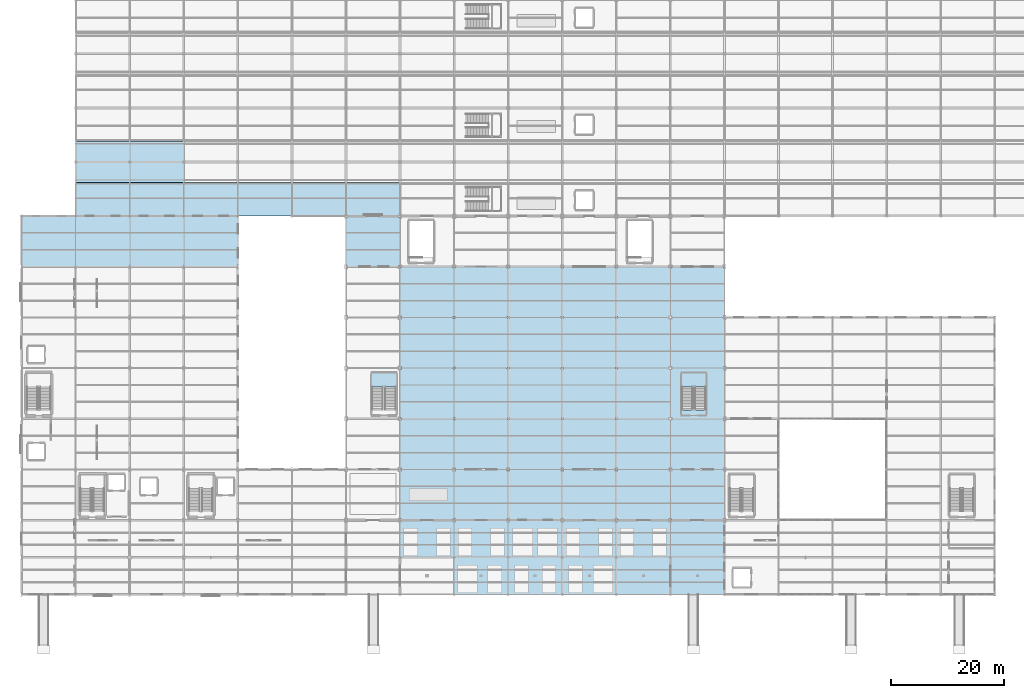
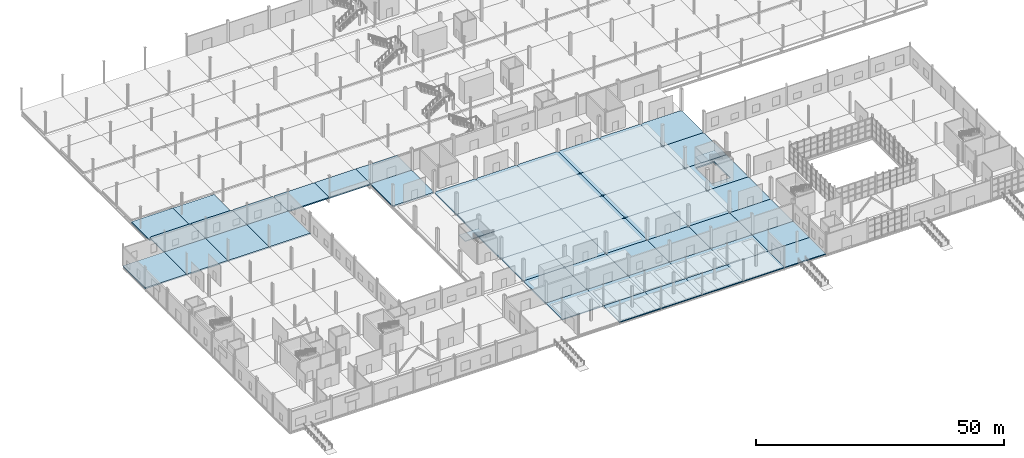
# One storey, part 48 of 85: 56 slabs, 2 elements without a shape of their own.
"""IFC4 building model written with IfcOpenShell, lengths in metres."""

from ifc_helpers import new_model, si_unit, direction, frame, origin, place, context, subcontext, project, spatial, polyline, outline, extrude, material, layer, layer_set, type_object, element, aggregate, save


model = new_model("IFC4")

# Units and contexts
model_context = context("Model", 3, precision=1e-05, world=origin(), true_north=direction((0.0, 1.0)))
body_context = subcontext(model_context, "Body", "Model", "MODEL_VIEW")
ifc_project = project(units=[si_unit("LENGTHUNIT", "METRE"), si_unit("AREAUNIT", "SQUARE_METRE"), si_unit("VOLUMEUNIT", "CUBIC_METRE"), si_unit("PLANEANGLEUNIT", "RADIAN"), si_unit("MASSUNIT", "GRAM", prefix="KILO")], contexts=[model_context])

# Site, building, storey
site_placement = place(None, origin())
site = spatial("IfcSite", under=ifc_project, at=site_placement, CompositionType="ELEMENT")
building_placement = place(site_placement, origin())
building = spatial("IfcBuilding", under=site, at=building_placement, Name="Zarnetskaya Central Station", CompositionType="ELEMENT")
storey_placement = place(building_placement, origin())
storey = spatial("IfcBuildingStorey", under=building, at=storey_placement, Name="L00", CompositionType="ELEMENT", Elevation=0.0)

# Slabs
ifc_material_1 = material(Name="Concrete C30/37", Category="concrete")
ifc_layer_1 = layer(ifc_material_1, 0.320068359375, Name="Concrete C30/37", Category="concrete")
ifc_layer_set_1 = layer_set([ifc_layer_1], Name="Concrete C30/37")
slab_type_1 = type_object("IfcSlabType", Name="SLAB-L00-320", PredefinedType="FLOOR", material=ifc_layer_set_1)
slab_1_placement = place(storey_placement, frame((0.0, 0.0, -0.320068359375)))
element("IfcSlab", 1, at=slab_1_placement, inside=storey, type_object=slab_type_1, Name="L00 slab A-B/8-9", PredefinedType="FLOOR", context=body_context, shape_type="SweptSolid", body=[
    extrude(outline(polyline([(0.0, 58.199951171875), (9.60009765625, 58.199951171875), (9.60009765625, 67.199951171875), (0.0, 67.199951171875), (0.0, 58.199951171875)])), origin(), (0.0, 0.0, 1.0), 0.320068359375),
])
slab_2_placement = place(storey_placement, frame((0.0, 0.0, -0.320068359375)))
element("IfcSlab", 2, at=slab_2_placement, inside=storey, type_object=slab_type_1, Name="L00 slab B-C/8-9", PredefinedType="FLOOR", context=body_context, shape_type="SweptSolid", body=[
    extrude(outline(polyline([(9.60009765625, 58.199951171875), (19.199951171875, 58.199951171875), (19.199951171875, 67.199951171875), (9.60009765625, 67.199951171875), (9.60009765625, 58.199951171875)])), origin(), (0.0, 0.0, 1.0), 0.320068359375),
])
slab_3_placement = place(storey_placement, frame((0.0, 0.0, -0.320068359375)))
element("IfcSlab", 3, at=slab_3_placement, inside=storey, type_object=slab_type_1, Name="L00 slab C-D/8-9", PredefinedType="FLOOR", context=body_context, shape_type="SweptSolid", body=[
    extrude(outline(polyline([(19.199951171875, 58.199951171875), (28.800048828125, 58.199951171875), (28.800048828125, 67.199951171875), (19.199951171875, 67.199951171875), (19.199951171875, 58.199951171875)])), origin(), (0.0, 0.0, 1.0), 0.320068359375),
])
slab_4_placement = place(storey_placement, frame((0.0, 0.0, -0.320068359375)))
element("IfcSlab", 4, at=slab_4_placement, inside=storey, type_object=slab_type_1, Name="L00 slab D-E/8-9", PredefinedType="FLOOR", context=body_context, shape_type="SweptSolid", body=[
    extrude(outline(polyline([(28.800048828125, 58.199951171875), (38.39990234375, 58.199951171875), (38.39990234375, 67.199951171875), (28.800048828125, 67.199951171875), (28.800048828125, 58.199951171875)])), origin(), (0.0, 0.0, 1.0), 0.320068359375),
])
slab_5_placement = place(storey_placement, frame((0.0, 0.0, -0.320068359375)))
element("IfcSlab", 5, at=slab_5_placement, inside=storey, type_object=slab_type_1, Name="L00 slab G-H/8-9", PredefinedType="FLOOR", context=body_context, shape_type="SweptSolid", body=[
    extrude(outline(polyline([(57.89990234375, 58.199951171875), (66.89990234375, 58.199951171875), (67.199951171875, 58.5), (67.199951171875, 66.89990234375), (66.89990234375, 67.199951171875), (57.89990234375, 67.199951171875), (57.60009765625, 66.89990234375), (57.60009765625, 58.5), (57.89990234375, 58.199951171875)])), origin(), (0.0, 0.0, 1.0), 0.320068359375),
])
slab_6_placement = place(storey_placement, frame((0.0, 0.0, -0.320068359375)))
element("IfcSlab", 6, at=slab_6_placement, inside=storey, type_object=slab_type_1, Name="L00 slab H-J/3-4", PredefinedType="FLOOR", context=body_context, shape_type="SweptSolid", body=[
    extrude(outline(polyline([(67.5, 13.199951171875), (76.5, 13.199951171875), (76.800048828125, 13.5), (76.800048828125, 21.89990234375), (76.5, 22.199951171875), (67.5, 22.199951171875), (67.199951171875, 21.89990234375), (67.199951171875, 13.5), (67.5, 13.199951171875)])), origin(), (0.0, 0.0, 1.0), 0.320068359375),
])
slab_7_placement = place(storey_placement, frame((0.0, 0.0, -0.320068359375)))
element("IfcSlab", 7, at=slab_7_placement, inside=storey, type_object=slab_type_1, Name="L00 slab H-J/4-5", PredefinedType="FLOOR", context=body_context, shape_type="SweptSolid", body=[
    extrude(outline(polyline([(67.5, 22.199951171875), (76.5, 22.199951171875), (76.800048828125, 22.5), (76.800048828125, 30.89990234375), (76.5, 31.199951171875), (67.5, 31.199951171875), (67.199951171875, 30.89990234375), (67.199951171875, 22.5), (67.5, 22.199951171875)])), origin(), (0.0, 0.0, 1.0), 0.320068359375),
])
slab_8_placement = place(storey_placement, frame((0.0, 0.0, -0.320068359375)))
element("IfcSlab", 8, at=slab_8_placement, inside=storey, type_object=slab_type_1, Name="L00 slab H-J/5-6", PredefinedType="FLOOR", context=body_context, shape_type="SweptSolid", body=[
    extrude(outline(polyline([(67.5, 31.199951171875), (76.5, 31.199951171875), (76.800048828125, 31.5), (76.800048828125, 39.89990234375), (76.5, 40.199951171875), (67.5, 40.199951171875), (67.199951171875, 39.89990234375), (67.199951171875, 31.5), (67.5, 31.199951171875)])), origin(), (0.0, 0.0, 1.0), 0.320068359375),
])
slab_9_placement = place(storey_placement, frame((0.0, 0.0, -0.320068359375)))
element("IfcSlab", 9, at=slab_9_placement, inside=storey, type_object=slab_type_1, Name="L00 slab H-J/6-7", PredefinedType="FLOOR", context=body_context, shape_type="SweptSolid", body=[
    extrude(outline(polyline([(67.5, 40.199951171875), (76.5, 40.199951171875), (76.800048828125, 40.5), (76.800048828125, 48.89990234375), (76.5, 49.199951171875), (67.5, 49.199951171875), (67.199951171875, 48.89990234375), (67.199951171875, 40.5), (67.5, 40.199951171875)])), origin(), (0.0, 0.0, 1.0), 0.320068359375),
])
slab_10_placement = place(storey_placement, frame((0.0, 0.0, -0.320068359375)))
element("IfcSlab", 10, at=slab_10_placement, inside=storey, type_object=slab_type_1, Name="L00 slab H-J/7-8", PredefinedType="FLOOR", context=body_context, shape_type="SweptSolid", body=[
    extrude(outline(polyline([(67.5, 49.199951171875), (76.5, 49.199951171875), (76.800048828125, 49.5), (76.800048828125, 57.89990234375), (76.5, 58.199951171875), (67.5, 58.199951171875), (67.199951171875, 57.89990234375), (67.199951171875, 49.5), (67.5, 49.199951171875)])), origin(), (0.0, 0.0, 1.0), 0.320068359375),
])
slab_11_placement = place(storey_placement, frame((0.0, 0.0, -0.320068359375)))
element("IfcSlab", 11, at=slab_11_placement, inside=storey, type_object=slab_type_1, Name="L00 slab J-K/3-4", PredefinedType="FLOOR", context=body_context, shape_type="SweptSolid", body=[
    extrude(outline(polyline([(77.10009765625, 13.199951171875), (86.10009765625, 13.199951171875), (86.39990234375, 13.5), (86.39990234375, 21.89990234375), (86.10009765625, 22.199951171875), (77.10009765625, 22.199951171875), (76.800048828125, 21.89990234375), (76.800048828125, 13.5), (77.10009765625, 13.199951171875)])), origin(), (0.0, 0.0, 1.0), 0.320068359375),
])
slab_12_placement = place(storey_placement, frame((0.0, 0.0, -0.320068359375)))
element("IfcSlab", 12, at=slab_12_placement, inside=storey, type_object=slab_type_1, Name="L00 slab J-K/4-5", PredefinedType="FLOOR", context=body_context, shape_type="SweptSolid", body=[
    extrude(outline(polyline([(77.10009765625, 22.199951171875), (86.10009765625, 22.199951171875), (86.39990234375, 22.5), (86.39990234375, 30.89990234375), (86.10009765625, 31.199951171875), (77.10009765625, 31.199951171875), (76.800048828125, 30.89990234375), (76.800048828125, 22.5), (77.10009765625, 22.199951171875)])), origin(), (0.0, 0.0, 1.0), 0.320068359375),
])
slab_13_placement = place(storey_placement, frame((0.0, 0.0, -0.320068359375)))
element("IfcSlab", 13, at=slab_13_placement, inside=storey, type_object=slab_type_1, Name="L00 slab J-K/5-6", PredefinedType="FLOOR", context=body_context, shape_type="SweptSolid", body=[
    extrude(outline(polyline([(77.10009765625, 31.199951171875), (86.10009765625, 31.199951171875), (86.39990234375, 31.5), (86.39990234375, 39.89990234375), (86.10009765625, 40.199951171875), (77.10009765625, 40.199951171875), (76.800048828125, 39.89990234375), (76.800048828125, 31.5), (77.10009765625, 31.199951171875)])), origin(), (0.0, 0.0, 1.0), 0.320068359375),
])
slab_14_placement = place(storey_placement, frame((0.0, 0.0, -0.320068359375)))
element("IfcSlab", 14, at=slab_14_placement, inside=storey, type_object=slab_type_1, Name="L00 slab J-K/6-7", PredefinedType="FLOOR", context=body_context, shape_type="SweptSolid", body=[
    extrude(outline(polyline([(77.10009765625, 40.199951171875), (86.10009765625, 40.199951171875), (86.39990234375, 40.5), (86.39990234375, 48.89990234375), (86.10009765625, 49.199951171875), (77.10009765625, 49.199951171875), (76.800048828125, 48.89990234375), (76.800048828125, 40.5), (77.10009765625, 40.199951171875)])), origin(), (0.0, 0.0, 1.0), 0.320068359375),
])
slab_15_placement = place(storey_placement, frame((0.0, 0.0, -0.320068359375)))
element("IfcSlab", 15, at=slab_15_placement, inside=storey, type_object=slab_type_1, Name="L00 slab J-K/7-8", PredefinedType="FLOOR", context=body_context, shape_type="SweptSolid", body=[
    extrude(outline(polyline([(77.10009765625, 49.199951171875), (86.10009765625, 49.199951171875), (86.39990234375, 49.5), (86.39990234375, 57.89990234375), (86.10009765625, 58.199951171875), (77.10009765625, 58.199951171875), (76.800048828125, 57.89990234375), (76.800048828125, 49.5), (77.10009765625, 49.199951171875)])), origin(), (0.0, 0.0, 1.0), 0.320068359375),
])
slab_16_placement = place(storey_placement, frame((0.0, 0.0, -0.320068359375)))
element("IfcSlab", 16, at=slab_16_placement, inside=storey, type_object=slab_type_1, Name="L00 slab K-L/3-4", PredefinedType="FLOOR", context=body_context, shape_type="SweptSolid", body=[
    extrude(outline(polyline([(86.699951171875, 13.199951171875), (95.699951171875, 13.199951171875), (96.0, 13.5), (96.0, 21.89990234375), (95.699951171875, 22.199951171875), (86.699951171875, 22.199951171875), (86.39990234375, 21.89990234375), (86.39990234375, 13.5), (86.699951171875, 13.199951171875)])), origin(), (0.0, 0.0, 1.0), 0.320068359375),
])
slab_17_placement = place(storey_placement, frame((0.0, 0.0, -0.320068359375)))
element("IfcSlab", 17, at=slab_17_placement, inside=storey, type_object=slab_type_1, Name="L00 slab K-L/4-5", PredefinedType="FLOOR", context=body_context, shape_type="SweptSolid", body=[
    extrude(outline(polyline([(86.699951171875, 22.199951171875), (95.699951171875, 22.199951171875), (96.0, 22.5), (96.0, 30.89990234375), (95.699951171875, 31.199951171875), (86.699951171875, 31.199951171875), (86.39990234375, 30.89990234375), (86.39990234375, 22.5), (86.699951171875, 22.199951171875)])), origin(), (0.0, 0.0, 1.0), 0.320068359375),
])
slab_18_placement = place(storey_placement, frame((0.0, 0.0, -0.320068359375)))
element("IfcSlab", 18, at=slab_18_placement, inside=storey, type_object=slab_type_1, Name="L00 slab K-L/5-6", PredefinedType="FLOOR", context=body_context, shape_type="SweptSolid", body=[
    extrude(outline(polyline([(86.699951171875, 31.199951171875), (95.699951171875, 31.199951171875), (96.0, 31.5), (96.0, 39.89990234375), (95.699951171875, 40.199951171875), (86.699951171875, 40.199951171875), (86.39990234375, 39.89990234375), (86.39990234375, 31.5), (86.699951171875, 31.199951171875)])), origin(), (0.0, 0.0, 1.0), 0.320068359375),
])
slab_19_placement = place(storey_placement, frame((0.0, 0.0, -0.320068359375)))
element("IfcSlab", 19, at=slab_19_placement, inside=storey, type_object=slab_type_1, Name="L00 slab K-L/6-7", PredefinedType="FLOOR", context=body_context, shape_type="SweptSolid", body=[
    extrude(outline(polyline([(86.699951171875, 40.199951171875), (95.699951171875, 40.199951171875), (96.0, 40.5), (96.0, 48.89990234375), (95.699951171875, 49.199951171875), (86.699951171875, 49.199951171875), (86.39990234375, 48.89990234375), (86.39990234375, 40.5), (86.699951171875, 40.199951171875)])), origin(), (0.0, 0.0, 1.0), 0.320068359375),
])
slab_20_placement = place(storey_placement, frame((0.0, 0.0, -0.320068359375)))
element("IfcSlab", 20, at=slab_20_placement, inside=storey, type_object=slab_type_1, Name="L00 slab K-L/7-8", PredefinedType="FLOOR", context=body_context, shape_type="SweptSolid", body=[
    extrude(outline(polyline([(86.699951171875, 49.199951171875), (95.699951171875, 49.199951171875), (96.0, 49.5), (96.0, 57.89990234375), (95.699951171875, 58.199951171875), (86.699951171875, 58.199951171875), (86.39990234375, 57.89990234375), (86.39990234375, 49.5), (86.699951171875, 49.199951171875)])), origin(), (0.0, 0.0, 1.0), 0.320068359375),
])
slab_21_placement = place(storey_placement, frame((0.0, 0.0, -0.320068359375)))
element("IfcSlab", 21, at=slab_21_placement, inside=storey, type_object=slab_type_1, Name="L00 slab L-M/3-4", PredefinedType="FLOOR", context=body_context, shape_type="SweptSolid", body=[
    extrude(outline(polyline([(96.300048828125, 13.199951171875), (105.300048828125, 13.199951171875), (105.60009765625, 13.5), (105.60009765625, 21.89990234375), (105.300048828125, 22.199951171875), (96.300048828125, 22.199951171875), (96.0, 21.89990234375), (96.0, 13.5), (96.300048828125, 13.199951171875)])), origin(), (0.0, 0.0, 1.0), 0.320068359375),
])
slab_22_placement = place(storey_placement, frame((0.0, 0.0, -0.320068359375)))
element("IfcSlab", 22, at=slab_22_placement, inside=storey, type_object=slab_type_1, Name="L00 slab L-M/4-5", PredefinedType="FLOOR", context=body_context, shape_type="SweptSolid", body=[
    extrude(outline(polyline([(96.300048828125, 22.199951171875), (105.300048828125, 22.199951171875), (105.60009765625, 22.5), (105.60009765625, 30.89990234375), (105.300048828125, 31.199951171875), (96.300048828125, 31.199951171875), (96.0, 30.89990234375), (96.0, 22.5), (96.300048828125, 22.199951171875)])), origin(), (0.0, 0.0, 1.0), 0.320068359375),
])
slab_23_placement = place(storey_placement, frame((0.0, 0.0, -0.320068359375)))
element("IfcSlab", 23, at=slab_23_placement, inside=storey, type_object=slab_type_1, Name="L00 slab L-M/5-6", PredefinedType="FLOOR", context=body_context, shape_type="SweptSolid", body=[
    extrude(outline(polyline([(96.300048828125, 31.199951171875), (105.300048828125, 31.199951171875), (105.60009765625, 31.5), (105.60009765625, 39.89990234375), (105.300048828125, 40.199951171875), (96.300048828125, 40.199951171875), (96.0, 39.89990234375), (96.0, 31.5), (96.300048828125, 31.199951171875)])), origin(), (0.0, 0.0, 1.0), 0.320068359375),
])
slab_24_placement = place(storey_placement, frame((0.0, 0.0, -0.320068359375)))
element("IfcSlab", 24, at=slab_24_placement, inside=storey, type_object=slab_type_1, Name="L00 slab L-M/6-7", PredefinedType="FLOOR", context=body_context, shape_type="SweptSolid", body=[
    extrude(outline(polyline([(96.300048828125, 40.199951171875), (105.300048828125, 40.199951171875), (105.60009765625, 40.5), (105.60009765625, 48.89990234375), (105.300048828125, 49.199951171875), (96.300048828125, 49.199951171875), (96.0, 48.89990234375), (96.0, 40.5), (96.300048828125, 40.199951171875)])), origin(), (0.0, 0.0, 1.0), 0.320068359375),
])
slab_25_placement = place(storey_placement, frame((0.0, 0.0, -0.320068359375)))
element("IfcSlab", 25, at=slab_25_placement, inside=storey, type_object=slab_type_1, Name="L00 slab L-M/7-8", PredefinedType="FLOOR", context=body_context, shape_type="SweptSolid", body=[
    extrude(outline(polyline([(96.300048828125, 49.199951171875), (105.300048828125, 49.199951171875), (105.60009765625, 49.5), (105.60009765625, 57.89990234375), (105.300048828125, 58.199951171875), (96.300048828125, 58.199951171875), (96.0, 57.89990234375), (96.0, 49.5), (96.300048828125, 49.199951171875)])), origin(), (0.0, 0.0, 1.0), 0.320068359375),
])
slab_26_placement = place(storey_placement, frame((0.0, 0.0, -0.320068359375)))
element("IfcSlab", 26, at=slab_26_placement, inside=storey, type_object=slab_type_1, Name="L00 slab M-N/3-4", PredefinedType="FLOOR", context=body_context, shape_type="SweptSolid", body=[
    extrude(outline(polyline([(105.89990234375, 13.199951171875), (114.89990234375, 13.199951171875), (115.199951171875, 13.5), (115.199951171875, 21.89990234375), (114.89990234375, 22.199951171875), (105.89990234375, 22.199951171875), (105.60009765625, 21.89990234375), (105.60009765625, 13.5), (105.89990234375, 13.199951171875)])), origin(), (0.0, 0.0, 1.0), 0.320068359375),
])
slab_27_placement = place(storey_placement, frame((0.0, 0.0, -0.320068359375)))
element("IfcSlab", 27, at=slab_27_placement, inside=storey, type_object=slab_type_1, Name="L00 slab M-N/4-5", PredefinedType="FLOOR", context=body_context, shape_type="SweptSolid", body=[
    extrude(outline(polyline([(105.89990234375, 22.199951171875), (114.89990234375, 22.199951171875), (115.199951171875, 22.5), (115.199951171875, 30.89990234375), (114.89990234375, 31.199951171875), (105.89990234375, 31.199951171875), (105.60009765625, 30.89990234375), (105.60009765625, 22.5), (105.89990234375, 22.199951171875)])), origin(), (0.0, 0.0, 1.0), 0.320068359375),
])
slab_28_placement = place(storey_placement, frame((0.0, 0.0, -0.320068359375)))
element("IfcSlab", 28, at=slab_28_placement, inside=storey, type_object=slab_type_1, Name="L00 slab M-N/5-6", PredefinedType="FLOOR", context=body_context, shape_type="SweptSolid", body=[
    extrude(outline(polyline([(105.89990234375, 31.199951171875), (114.89990234375, 31.199951171875), (115.199951171875, 31.5), (115.199951171875, 39.89990234375), (114.89990234375, 40.199951171875), (105.89990234375, 40.199951171875), (105.60009765625, 39.89990234375), (105.60009765625, 31.5), (105.89990234375, 31.199951171875)])), origin(), (0.0, 0.0, 1.0), 0.320068359375),
])
slab_29_placement = place(storey_placement, frame((0.0, 0.0, -0.320068359375)))
element("IfcSlab", 29, at=slab_29_placement, inside=storey, type_object=slab_type_1, Name="L00 slab M-N/6-7", PredefinedType="FLOOR", context=body_context, shape_type="SweptSolid", body=[
    extrude(outline(polyline([(105.89990234375, 40.199951171875), (114.89990234375, 40.199951171875), (115.199951171875, 40.5), (115.199951171875, 48.89990234375), (114.89990234375, 49.199951171875), (105.89990234375, 49.199951171875), (105.60009765625, 48.89990234375), (105.60009765625, 40.5), (105.89990234375, 40.199951171875)])), origin(), (0.0, 0.0, 1.0), 0.320068359375),
])
slab_30_placement = place(storey_placement, frame((0.0, 0.0, -0.320068359375)))
element("IfcSlab", 30, at=slab_30_placement, inside=storey, type_object=slab_type_1, Name="L00 slab M-N/7-8", PredefinedType="FLOOR", context=body_context, shape_type="SweptSolid", body=[
    extrude(outline(polyline([(105.89990234375, 49.199951171875), (114.89990234375, 49.199951171875), (115.199951171875, 49.5), (115.199951171875, 57.89990234375), (114.89990234375, 58.199951171875), (105.89990234375, 58.199951171875), (105.60009765625, 57.89990234375), (105.60009765625, 49.5), (105.89990234375, 49.199951171875)])), origin(), (0.0, 0.0, 1.0), 0.320068359375),
])
slab_31_placement = place(storey_placement, frame((0.0, 0.0, -0.320068359375)))
element("IfcSlab", 31, at=slab_31_placement, inside=storey, type_object=slab_type_1, Name="L00 slab N-P/3-4", PredefinedType="FLOOR", context=body_context, shape_type="SweptSolid", body=[
    extrude(outline(polyline([(115.5, 13.199951171875), (124.5, 13.199951171875), (124.800048828125, 13.5), (124.800048828125, 21.89990234375), (124.5, 22.199951171875), (115.5, 22.199951171875), (115.199951171875, 21.89990234375), (115.199951171875, 13.5), (115.5, 13.199951171875)])), origin(), (0.0, 0.0, 1.0), 0.320068359375),
])
slab_32_placement = place(storey_placement, frame((0.0, 0.0, -0.320068359375)))
element("IfcSlab", 32, at=slab_32_placement, inside=storey, type_object=slab_type_1, Name="L00 slab N-P/4-5", PredefinedType="FLOOR", context=body_context, shape_type="SweptSolid", body=[
    extrude(outline(polyline([(115.5, 22.199951171875), (124.5, 22.199951171875), (124.800048828125, 22.5), (124.800048828125, 30.89990234375), (124.5, 31.199951171875), (115.5, 31.199951171875), (115.199951171875, 30.89990234375), (115.199951171875, 22.5), (115.5, 22.199951171875)])), origin(), (0.0, 0.0, 1.0), 0.320068359375),
])
slab_33_placement = place(storey_placement, frame((0.0, 0.0, -0.320068359375)))
element("IfcSlab", 33, at=slab_33_placement, inside=storey, type_object=slab_type_1, Name="L00 slab N-P/5-6", PredefinedType="FLOOR", context=body_context, shape_type="SweptSolid", body=[
    extrude(outline(polyline([(115.199951171875, 31.199951171875), (124.800048828125, 31.199951171875), (124.800048828125, 40.199951171875), (115.199951171875, 40.199951171875), (115.199951171875, 31.199951171875)]), holes=[polyline([(117.199951171875, 32.804931640625), (121.5, 32.804931640625), (121.5, 39.300048828125), (117.199951171875, 39.300048828125), (117.199951171875, 32.804931640625)])]), origin(), (0.0, 0.0, 1.0), 0.320068359375),
])
slab_34_placement = place(storey_placement, frame((0.0, 0.0, -0.320068359375)))
element("IfcSlab", 34, at=slab_34_placement, inside=storey, type_object=slab_type_1, Name="L00 slab N-P/6-7", PredefinedType="FLOOR", context=body_context, shape_type="SweptSolid", body=[
    extrude(outline(polyline([(115.5, 40.199951171875), (124.5, 40.199951171875), (124.800048828125, 40.5), (124.800048828125, 48.89990234375), (124.5, 49.199951171875), (115.5, 49.199951171875), (115.199951171875, 48.89990234375), (115.199951171875, 40.5), (115.5, 40.199951171875)])), origin(), (0.0, 0.0, 1.0), 0.320068359375),
])
slab_35_placement = place(storey_placement, frame((0.0, 0.0, -0.320068359375)))
element("IfcSlab", 35, at=slab_35_placement, inside=storey, type_object=slab_type_1, Name="L00 slab N-P/7-8", PredefinedType="FLOOR", context=body_context, shape_type="SweptSolid", body=[
    extrude(outline(polyline([(115.5, 49.199951171875), (124.5, 49.199951171875), (124.800048828125, 49.5), (124.800048828125, 57.89990234375), (124.5, 58.199951171875), (115.5, 58.199951171875), (115.199951171875, 57.89990234375), (115.199951171875, 49.5), (115.5, 49.199951171875)])), origin(), (0.0, 0.0, 1.0), 0.320068359375),
])
ifc_material_2 = material(Name="Precast concrete C40/50", Category="concrete")
ifc_layer_2 = layer(ifc_material_2, 0.2900390625, Name="Precast concrete C40/50", Category="concrete")
ifc_layer_set_2 = layer_set([ifc_layer_2], Name="Precast concrete C40/50")
slab_type_2 = type_object("IfcSlabType", Name="SLAB-PEXT-290", PredefinedType="FLOOR", material=ifc_layer_set_2)
slab_36_placement = place(storey_placement, frame((0.0, 0.0, -0.2900390625)))
element("IfcSlab", 36, at=slab_36_placement, inside=storey, type_object=slab_type_2, Name="Platform 1 Passenger Boarding Hall deck B-C", PredefinedType="FLOOR", context=body_context, shape_type="SweptSolid", body=[
    extrude(outline(polyline([(9.840087890625, 67.199951171875), (18.9599609375, 67.199951171875), (19.199951171875, 67.43994140625), (19.199951171875, 72.9599609375), (18.9599609375, 73.199951171875), (9.840087890625, 73.199951171875), (9.60009765625, 72.9599609375), (9.60009765625, 67.43994140625), (9.840087890625, 67.199951171875)])), origin(), (0.0, 0.0, 1.0), 0.2900390625),
])
slab_37_placement = place(storey_placement, frame((0.0, 0.0, -0.2900390625)))
element("IfcSlab", 37, at=slab_37_placement, inside=storey, type_object=slab_type_2, Name="Platform 1 Passenger Boarding Hall deck C-D", PredefinedType="FLOOR", context=body_context, shape_type="SweptSolid", body=[
    extrude(outline(polyline([(19.43994140625, 67.199951171875), (28.56005859375, 67.199951171875), (28.800048828125, 67.43994140625), (28.800048828125, 72.9599609375), (28.56005859375, 73.199951171875), (19.43994140625, 73.199951171875), (19.199951171875, 72.9599609375), (19.199951171875, 67.43994140625), (19.43994140625, 67.199951171875)])), origin(), (0.0, 0.0, 1.0), 0.2900390625),
])
slab_38_placement = place(storey_placement, frame((0.0, 0.0, -0.2900390625)))
element("IfcSlab", 38, at=slab_38_placement, inside=storey, type_object=slab_type_2, Name="Platform 1 Passenger Boarding Hall deck D-E", PredefinedType="FLOOR", context=body_context, shape_type="SweptSolid", body=[
    extrude(outline(polyline([(29.0400390625, 67.199951171875), (38.159912109375, 67.199951171875), (38.39990234375, 67.43994140625), (38.39990234375, 72.9599609375), (38.159912109375, 73.199951171875), (29.0400390625, 73.199951171875), (28.800048828125, 72.9599609375), (28.800048828125, 67.43994140625), (29.0400390625, 67.199951171875)])), origin(), (0.0, 0.0, 1.0), 0.2900390625),
])
slab_39_placement = place(storey_placement, frame((0.0, 0.0, -0.2900390625)))
element("IfcSlab", 39, at=slab_39_placement, inside=storey, type_object=slab_type_2, Name="Platform 1 Passenger Boarding Hall deck E-F", PredefinedType="FLOOR", context=body_context, shape_type="SweptSolid", body=[
    extrude(outline(polyline([(38.639892578125, 67.199951171875), (47.760009765625, 67.199951171875), (48.0, 67.43994140625), (48.0, 72.9599609375), (47.760009765625, 73.199951171875), (38.639892578125, 73.199951171875), (38.39990234375, 72.9599609375), (38.39990234375, 67.43994140625), (38.639892578125, 67.199951171875)])), origin(), (0.0, 0.0, 1.0), 0.2900390625),
])
ifc_layer_3 = layer(ifc_material_2, 0.300048828125, Name="Precast concrete C40/50", Category="concrete")
ifc_layer_set_3 = layer_set([ifc_layer_3], Name="Precast concrete C40/50")
slab_type_3 = type_object("IfcSlabType", Name="SLAB-PLAT-300", PredefinedType="FLOOR", material=ifc_layer_set_3)
slab_40_placement = place(storey_placement, frame((0.0, 0.0, -0.300048828125)))
element("IfcSlab", 40, at=slab_40_placement, inside=storey, type_object=slab_type_3, Name="Platform 1 Passenger Boarding Hall deck F-G", PredefinedType="FLOOR", context=body_context, shape_type="SweptSolid", body=[
    extrude(outline(polyline([(48.0, 67.199951171875), (57.60009765625, 67.199951171875), (57.60009765625, 73.199951171875), (48.0, 73.199951171875), (48.0, 67.199951171875)])), origin(), (0.0, 0.0, 1.0), 0.300048828125),
])
slab_41_placement = place(storey_placement, frame((0.0, 0.0, -0.300048828125)))
element("IfcSlab", 41, at=slab_41_placement, inside=storey, type_object=slab_type_3, Name="Platform 1 Passenger Boarding Hall deck G-H", PredefinedType="FLOOR", context=body_context, shape_type="SweptSolid", body=[
    extrude(outline(polyline([(57.60009765625, 67.199951171875), (67.199951171875, 67.199951171875), (67.199951171875, 73.199951171875), (57.60009765625, 73.199951171875), (57.60009765625, 67.199951171875)])), origin(), (0.0, 0.0, 1.0), 0.300048828125),
])

# Stair, slab
stair_type_1 = type_object("IfcStairType", Name="STAIR-ASSY-04", PredefinedType="HALF_TURN_STAIR", material=ifc_material_1)
stair_1_placement = place(storey_placement, origin())
stair_1 = element("IfcStair", 42, at=stair_1_placement, inside=storey, type_object=stair_type_1, Name="Exit Stair ST-H1 L00", PredefinedType="HALF_TURN_STAIR")
ifc_layer_4 = layer(ifc_material_1, 0.18505859375, Name="Concrete C30/37", Category="concrete")
ifc_layer_set_4 = layer_set([ifc_layer_4], Name="Concrete C30/37")
slab_type_4 = type_object("IfcSlabType", Name="SLAB-STAIR-LND", PredefinedType="LANDING", material=ifc_layer_set_4)
slab_42_placement = place(storey_placement, frame((0.0, 0.0, 2.514892578125)))
slab_42 = element("IfcSlab", 43, at=slab_42_placement, type_object=slab_type_4, Name="ST-10 landing 1", PredefinedType="LANDING", context=body_context, shape_type="SweptSolid", body=[
    extrude(outline(polyline([(62.1201171875, 36.844970703125), (66.580078125, 36.844970703125), (66.580078125, 39.3798828125), (62.1201171875, 39.3798828125), (62.1201171875, 36.844970703125)])), origin(), (0.0, 0.0, 1.0), 0.18505859375),
])
aggregate(stair_1, [slab_42])

stair_type_2 = type_object("IfcStairType", Name="STAIR-ASSY-09", PredefinedType="HALF_TURN_STAIR", material=ifc_material_1)
stair_2_placement = place(storey_placement, origin())
stair_2 = element("IfcStair", 44, at=stair_2_placement, inside=storey, type_object=stair_type_2, Name="Exit Stair ST-E1 L00", PredefinedType="HALF_TURN_STAIR")
slab_43_placement = place(storey_placement, frame((0.0, 0.0, 2.514892578125)))
slab_43 = element("IfcSlab", 45, at=slab_43_placement, type_object=slab_type_4, Name="ST-09 landing 1", PredefinedType="LANDING", context=body_context, shape_type="SweptSolid", body=[
    extrude(outline(polyline([(117.1201171875, 36.844970703125), (121.580078125, 36.844970703125), (121.580078125, 39.3798828125), (117.1201171875, 39.3798828125), (117.1201171875, 36.844970703125)])), origin(), (0.0, 0.0, 1.0), 0.18505859375),
])
aggregate(stair_2, [slab_43])

# Slabs
ifc_layer_5 = layer(ifc_material_1, 0.219970703125, Name="Concrete C30/37", Category="concrete")
ifc_layer_set_5 = layer_set([ifc_layer_5], Name="Concrete C30/37")
slab_type_5 = type_object("IfcSlabType", Name="SLAB-TER-220", PredefinedType="FLOOR", material=ifc_layer_set_5)
slab_44_placement = place(storey_placement, frame((0.0, 0.0, -0.219970703125)))
element("IfcSlab", 46, at=slab_44_placement, inside=storey, type_object=slab_type_5, Name="L00 slab H-J/2-3", PredefinedType="FLOOR", context=body_context, shape_type="SweptSolid", body=[
    extrude(outline(polyline([(67.199951171875, 6.60009765625), (76.800048828125, 6.60009765625), (76.800048828125, 13.199951171875), (67.199951171875, 13.199951171875), (67.199951171875, 6.60009765625)])), origin(), (0.0, 0.0, 1.0), 0.219970703125),
])
slab_45_placement = place(storey_placement, frame((0.0, 0.0, -0.219970703125)))
element("IfcSlab", 47, at=slab_45_placement, inside=storey, type_object=slab_type_5, Name="L00 slab J-K/1-2", PredefinedType="FLOOR", context=body_context, shape_type="SweptSolid", body=[
    extrude(outline(polyline([(76.800048828125, 0.0), (86.39990234375, 0.0), (86.39990234375, 6.60009765625), (76.800048828125, 6.60009765625), (76.800048828125, 0.0)])), origin(), (0.0, 0.0, 1.0), 0.219970703125),
])
slab_46_placement = place(storey_placement, frame((0.0, 0.0, -0.219970703125)))
element("IfcSlab", 48, at=slab_46_placement, inside=storey, type_object=slab_type_5, Name="L00 slab J-K/2-3", PredefinedType="FLOOR", context=body_context, shape_type="SweptSolid", body=[
    extrude(outline(polyline([(76.800048828125, 6.60009765625), (86.39990234375, 6.60009765625), (86.39990234375, 13.199951171875), (76.800048828125, 13.199951171875), (76.800048828125, 6.60009765625)])), origin(), (0.0, 0.0, 1.0), 0.219970703125),
])
slab_47_placement = place(storey_placement, frame((0.0, 0.0, -0.219970703125)))
element("IfcSlab", 49, at=slab_47_placement, inside=storey, type_object=slab_type_5, Name="L00 slab K-L/1-2", PredefinedType="FLOOR", context=body_context, shape_type="SweptSolid", body=[
    extrude(outline(polyline([(86.39990234375, 0.0), (96.0, 0.0), (96.0, 6.60009765625), (86.39990234375, 6.60009765625), (86.39990234375, 0.0)])), origin(), (0.0, 0.0, 1.0), 0.219970703125),
])
slab_48_placement = place(storey_placement, frame((0.0, 0.0, -0.219970703125)))
element("IfcSlab", 50, at=slab_48_placement, inside=storey, type_object=slab_type_5, Name="L00 slab K-L/2-3", PredefinedType="FLOOR", context=body_context, shape_type="SweptSolid", body=[
    extrude(outline(polyline([(86.39990234375, 6.60009765625), (96.0, 6.60009765625), (96.0, 13.199951171875), (86.39990234375, 13.199951171875), (86.39990234375, 6.60009765625)])), origin(), (0.0, 0.0, 1.0), 0.219970703125),
])
slab_49_placement = place(storey_placement, frame((0.0, 0.0, -0.219970703125)))
element("IfcSlab", 51, at=slab_49_placement, inside=storey, type_object=slab_type_5, Name="L00 slab L-M/1-2", PredefinedType="FLOOR", context=body_context, shape_type="SweptSolid", body=[
    extrude(outline(polyline([(96.0, 0.0), (105.60009765625, 0.0), (105.60009765625, 6.60009765625), (96.0, 6.60009765625), (96.0, 0.0)])), origin(), (0.0, 0.0, 1.0), 0.219970703125),
])
slab_50_placement = place(storey_placement, frame((0.0, 0.0, -0.219970703125)))
element("IfcSlab", 52, at=slab_50_placement, inside=storey, type_object=slab_type_5, Name="L00 slab L-M/2-3", PredefinedType="FLOOR", context=body_context, shape_type="SweptSolid", body=[
    extrude(outline(polyline([(96.0, 6.60009765625), (105.60009765625, 6.60009765625), (105.60009765625, 13.199951171875), (96.0, 13.199951171875), (96.0, 6.60009765625)])), origin(), (0.0, 0.0, 1.0), 0.219970703125),
])
slab_51_placement = place(storey_placement, frame((0.0, 0.0, -0.219970703125)))
element("IfcSlab", 53, at=slab_51_placement, inside=storey, type_object=slab_type_5, Name="L00 slab M-N/1-2", PredefinedType="FLOOR", context=body_context, shape_type="SweptSolid", body=[
    extrude(outline(polyline([(105.60009765625, 0.0), (115.199951171875, 0.0), (115.199951171875, 6.60009765625), (105.60009765625, 6.60009765625), (105.60009765625, 0.0)])), origin(), (0.0, 0.0, 1.0), 0.219970703125),
])
slab_52_placement = place(storey_placement, frame((0.0, 0.0, -0.219970703125)))
element("IfcSlab", 54, at=slab_52_placement, inside=storey, type_object=slab_type_5, Name="L00 slab M-N/2-3", PredefinedType="FLOOR", context=body_context, shape_type="SweptSolid", body=[
    extrude(outline(polyline([(105.60009765625, 6.60009765625), (115.199951171875, 6.60009765625), (115.199951171875, 13.199951171875), (105.60009765625, 13.199951171875), (105.60009765625, 6.60009765625)])), origin(), (0.0, 0.0, 1.0), 0.219970703125),
])
slab_53_placement = place(storey_placement, frame((0.0, 0.0, -0.219970703125)))
element("IfcSlab", 55, at=slab_53_placement, inside=storey, type_object=slab_type_5, Name="L00 slab N-P/1-2", PredefinedType="FLOOR", context=body_context, shape_type="SweptSolid", body=[
    extrude(outline(polyline([(115.199951171875, 0.0), (124.800048828125, 0.0), (124.800048828125, 6.60009765625), (115.199951171875, 6.60009765625), (115.199951171875, 0.0)])), origin(), (0.0, 0.0, 1.0), 0.219970703125),
])
slab_54_placement = place(storey_placement, frame((0.0, 0.0, -0.219970703125)))
element("IfcSlab", 56, at=slab_54_placement, inside=storey, type_object=slab_type_5, Name="L00 slab N-P/2-3", PredefinedType="FLOOR", context=body_context, shape_type="SweptSolid", body=[
    extrude(outline(polyline([(115.199951171875, 6.60009765625), (124.800048828125, 6.60009765625), (124.800048828125, 13.199951171875), (115.199951171875, 13.199951171875), (115.199951171875, 6.60009765625)])), origin(), (0.0, 0.0, 1.0), 0.219970703125),
])
ifc_layer_6 = layer(ifc_material_1, 0.360107421875, Name="Concrete C30/37", Category="concrete")
ifc_layer_set_6 = layer_set([ifc_layer_6], Name="Concrete C30/37")
slab_type_6 = type_object("IfcSlabType", Name="SLAB-TRK-360", PredefinedType="BASESLAB", material=ifc_layer_set_6)
slab_55_placement = place(storey_placement, frame((0.0, 0.0, -0.909912109375)))
element("IfcSlab", 57, at=slab_55_placement, inside=storey, type_object=slab_type_6, Name="Rail Track Trough 1-2 slab B-C", PredefinedType="BASESLAB", context=body_context, shape_type="SweptSolid", body=[
    extrude(outline(polyline([(9.60009765625, 73.199951171875), (19.199951171875, 73.199951171875), (19.199951171875, 80.39990234375), (9.60009765625, 80.39990234375), (9.60009765625, 73.199951171875)])), origin(), (0.0, 0.0, 1.0), 0.35986328125),
])
slab_56_placement = place(storey_placement, frame((0.0, 0.0, -0.909912109375)))
element("IfcSlab", 58, at=slab_56_placement, inside=storey, type_object=slab_type_6, Name="Rail Track Trough 1-2 slab C-D", PredefinedType="BASESLAB", context=body_context, shape_type="SweptSolid", body=[
    extrude(outline(polyline([(19.199951171875, 73.199951171875), (28.800048828125, 73.199951171875), (28.800048828125, 80.39990234375), (19.199951171875, 80.39990234375), (19.199951171875, 73.199951171875)])), origin(), (0.0, 0.0, 1.0), 0.35986328125),
])

save(model, "model.ifc")
